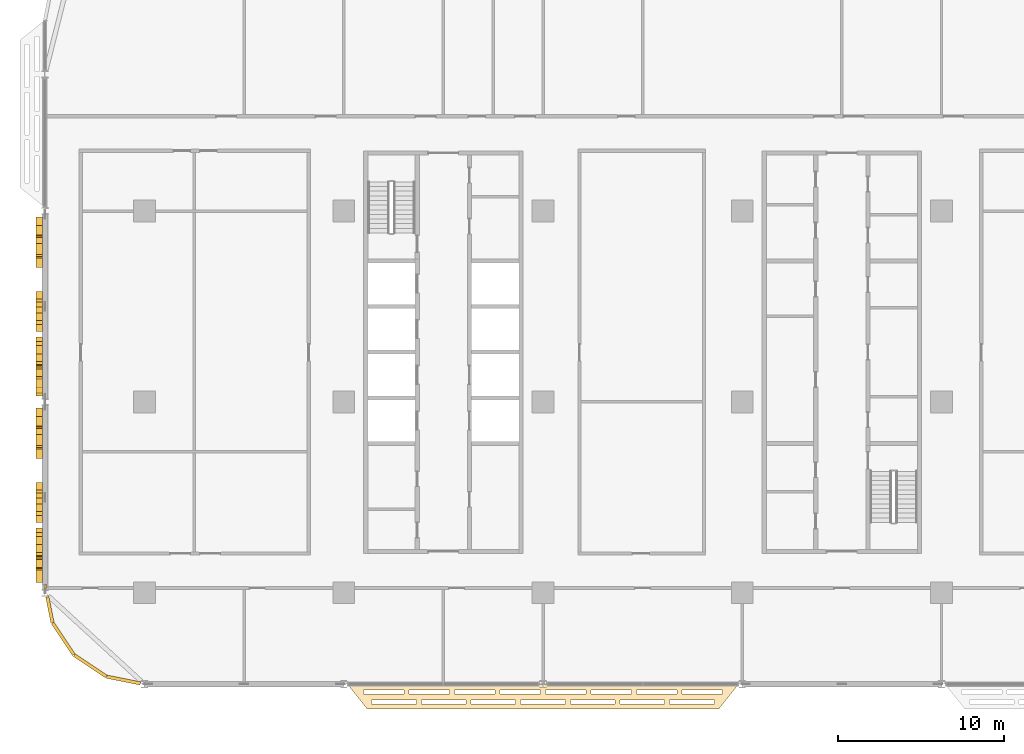
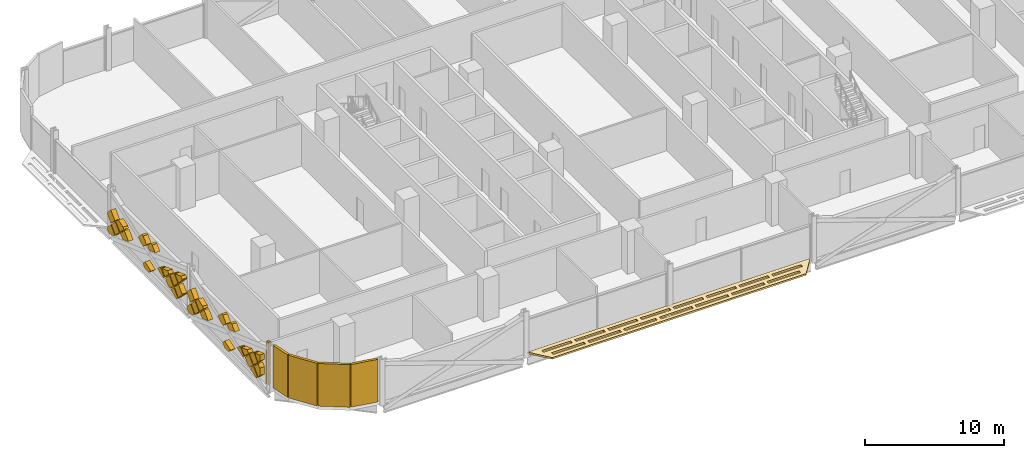
# One storey, part 24 of 28: 36 coverings.
"""IFC4 building model written with IfcOpenShell, lengths in metres."""

from ifc_helpers import new_model, si_unit, direction, frame, origin, origin_2d, place, context, subcontext, project, spatial, polyline, rectangle, outline, extrude, material, layer, layer_set, type_object, element, save


model = new_model("IFC4")

# Units and contexts
model_context = context("Model", 3, precision=1e-05, world=origin(), true_north=direction((0.0, 1.0)))
body_context = subcontext(model_context, "Body", "Model", "MODEL_VIEW")
ifc_project = project(units=[si_unit("LENGTHUNIT", "METRE"), si_unit("AREAUNIT", "SQUARE_METRE"), si_unit("VOLUMEUNIT", "CUBIC_METRE"), si_unit("PLANEANGLEUNIT", "RADIAN"), si_unit("MASSUNIT", "GRAM", prefix="KILO")], contexts=[model_context])

# Site, building, storey
site_placement = place(None, origin())
site = spatial("IfcSite", under=ifc_project, at=site_placement, CompositionType="ELEMENT")
building_placement = place(site_placement, origin())
building = spatial("IfcBuilding", under=site, at=building_placement, Name="Mahtab Terrace Research Tower", CompositionType="ELEMENT")
storey_placement = place(building_placement, frame((0.0, 0.0, 130.199951171875)))
storey = spatial("IfcBuildingStorey", under=building, at=storey_placement, Name="L30", CompositionType="ELEMENT", Elevation=130.199951171875)

# Coverings
ifc_material_1 = material(Name="Black aluminium cladding panel", Category="aluminium")
ifc_layer_1 = layer(ifc_material_1, 0.199951171875)
ifc_layer_set_1 = layer_set([ifc_layer_1], Name="Black metal corner cladding 200")
covering_type_1 = type_object("IfcCoveringType", Name="Black metal corner cladding 200", PredefinedType="CLADDING", material=ifc_layer_set_1)
covering_1_placement = place(storey_placement, frame((-47.97607421875, -11.11962890625, 0.0), z_axis=(0.0, 0.0, 1.0), x_axis=(0.195212442692, -0.980760981187, 0.0)))
element("IfcCovering", 1, at=covering_1_placement, inside=storey, type_object=covering_type_1, Name="Corner cladding L30 19", PredefinedType="CLADDING", context=body_context, shape_type="SweptSolid", body=[
    extrude(rectangle(XDim=0.22412109375, YDim=0.199951171875, at=origin_2d()), origin(), (0.0, 0.0, 1.0), 3.760009765625),
])
covering_2_placement = place(storey_placement, frame((-47.700439453125, -12.50439453125, 0.0), z_axis=(0.0, 0.0, 1.0), x_axis=(0.195212442692, -0.980760981187, 0.0)))
element("IfcCovering", 2, at=covering_2_placement, inside=storey, type_object=covering_type_1, Name="Corner cladding L30 20", PredefinedType="CLADDING", context=body_context, shape_type="SweptSolid", body=[
    extrude(rectangle(XDim=1.574462890625, YDim=0.199951171875, at=origin_2d()), origin(), (0.0, 0.0, 1.0), 3.760009765625),
])
for number, where, z_axis, x_axis, name in (
    (3, (-46.89306640625, -14.26953125, 0.0), (0.0, 0.0, 1.0), (0.555291490808, -0.831655794326, 0.0), "Corner cladding L30 21"),
    (4, (-45.26953125, -15.89306640625, 0.0), (0.0, 0.0, 1.0), (0.831655794326, -0.555291490808, 0.0), "Corner cladding L30 22"),
):
    element("IfcCovering", number, at=place(storey_placement, frame(where, z_axis=z_axis, x_axis=x_axis)), inside=storey, type_object=covering_type_1, Name=name, PredefinedType="CLADDING", context=body_context, shape_type="SweptSolid", body=[
        extrude(rectangle(XDim=2.30126953125, YDim=0.199951171875, at=origin_2d()), origin(), (0.0, 0.0, 1.0), 3.760009765625),
    ])
covering_3_placement = place(storey_placement, frame((-43.263916015625, -16.74853515625, 0.0), z_axis=(0.0, 0.0, 1.0), x_axis=(0.980760981187, -0.195212442692, 0.0)))
element("IfcCovering", 5, at=covering_3_placement, inside=storey, type_object=covering_type_1, Name="Corner cladding L30 23", PredefinedType="CLADDING", context=body_context, shape_type="SweptSolid", body=[
    extrude(rectangle(XDim=2.064697265625, YDim=0.199951171875, at=origin_2d()), origin(), (0.0, 0.0, 1.0), 3.760009765625),
])
ifc_material_2 = material(Name="Black anodised aluminium", Category="aluminium")
ifc_layer_2 = layer(ifc_material_2, 0.14990234375)
ifc_layer_set_2 = layer_set([ifc_layer_2], Name="Horizontal sunshade band")
covering_type_2 = type_object("IfcCoveringType", Name="Horizontal sunshade band", PredefinedType="CLADDING", material=ifc_layer_set_2)
covering_4_placement = place(storey_placement, frame((0.0, 0.0, -0.14990234375)))
element("IfcCovering", 6, at=covering_4_placement, inside=storey, type_object=covering_type_2, Name="Sunshade band L30 25", PredefinedType="CLADDING", context=body_context, shape_type="SweptSolid", body=[
    extrude(outline(polyline([(-29.781982421875, -17.0), (-6.218017578125, -17.0), (-7.41796875, -18.5), (-28.58203125, -18.5), (-29.781982421875, -17.0)]), holes=[polyline([(-28.802001953125, -17.35009765625), (-26.364013671875, -17.35009765625), (-26.364013671875, -17.60009765625), (-28.802001953125, -17.60009765625), (-28.802001953125, -17.35009765625)]), polyline([(-26.06396484375, -17.35009765625), (-23.6259765625, -17.35009765625), (-23.6259765625, -17.60009765625), (-26.06396484375, -17.60009765625), (-26.06396484375, -17.35009765625)]), polyline([(-23.325927734375, -17.35009765625), (-20.887939453125, -17.35009765625), (-20.887939453125, -17.60009765625), (-23.325927734375, -17.60009765625), (-23.325927734375, -17.35009765625)]), polyline([(-20.587890625, -17.35009765625), (-18.14990234375, -17.35009765625), (-18.14990234375, -17.60009765625), (-20.587890625, -17.60009765625), (-20.587890625, -17.35009765625)]), polyline([(-17.85009765625, -17.35009765625), (-15.412109375, -17.35009765625), (-15.412109375, -17.60009765625), (-17.85009765625, -17.60009765625), (-17.85009765625, -17.35009765625)]), polyline([(-15.112060546875, -17.35009765625), (-12.674072265625, -17.35009765625), (-12.674072265625, -17.60009765625), (-15.112060546875, -17.60009765625), (-15.112060546875, -17.35009765625)]), polyline([(-12.3740234375, -17.35009765625), (-9.93603515625, -17.35009765625), (-9.93603515625, -17.60009765625), (-12.3740234375, -17.60009765625), (-12.3740234375, -17.35009765625)]), polyline([(-9.635986328125, -17.35009765625), (-7.197998046875, -17.35009765625), (-7.197998046875, -17.60009765625), (-9.635986328125, -17.60009765625), (-9.635986328125, -17.35009765625)]), polyline([(-28.322021484375, -17.949951171875), (-25.6298828125, -17.949951171875), (-25.6298828125, -18.199951171875), (-28.322021484375, -18.199951171875), (-28.322021484375, -17.949951171875)]), polyline([(-25.330078125, -17.949951171875), (-22.637939453125, -17.949951171875), (-22.637939453125, -18.199951171875), (-25.330078125, -18.199951171875), (-25.330078125, -17.949951171875)]), polyline([(-22.337890625, -17.949951171875), (-19.64599609375, -17.949951171875), (-19.64599609375, -18.199951171875), (-22.337890625, -18.199951171875), (-22.337890625, -17.949951171875)]), polyline([(-19.345947265625, -17.949951171875), (-16.654052734375, -17.949951171875), (-16.654052734375, -18.199951171875), (-19.345947265625, -18.199951171875), (-19.345947265625, -17.949951171875)]), polyline([(-16.35400390625, -17.949951171875), (-13.662109375, -17.949951171875), (-13.662109375, -18.199951171875), (-16.35400390625, -18.199951171875), (-16.35400390625, -17.949951171875)]), polyline([(-13.362060546875, -17.949951171875), (-10.669921875, -17.949951171875), (-10.669921875, -18.199951171875), (-13.362060546875, -18.199951171875), (-13.362060546875, -17.949951171875)]), polyline([(-10.3701171875, -17.949951171875), (-7.677978515625, -17.949951171875), (-7.677978515625, -18.199951171875), (-10.3701171875, -18.199951171875), (-10.3701171875, -17.949951171875)])]), origin(), (0.0, 0.0, 1.0), 0.14990234375),
])
ifc_material_3 = material(Name="Bronze anodised aluminium", Category="aluminium")
ifc_layer_3 = layer(ifc_material_3, 0.39990234375)
ifc_layer_set_3 = layer_set([ifc_layer_3], Name="Mashrabiya relief panel 400")
covering_type_3 = type_object("IfcCoveringType", Name="Mashrabiya relief panel 400", PredefinedType="CLADDING", material=ifc_layer_set_3)
covering_5_placement = place(storey_placement, frame((-48.14990234375, 11.14697265625, 0.385009765625), z_axis=(1.0, 0.0, 0.0), x_axis=(0.0, 0.0, 1.0)))
element("IfcCovering", 7, at=covering_5_placement, inside=storey, type_object=covering_type_3, Name="Mashrabiya lattice cell L30 W17.1", PredefinedType="CLADDING", context=body_context, shape_type="SweptSolid", body=[
    extrude(outline(polyline([(0.0, 0.0), (0.130126953125, 0.0), (0.64501953125, 0.514892578125), (0.06494140625, 1.094970703125), (-0.06591796875, 0.9638671875), (-0.25, 0.447998046875), (-0.25, 0.25), (0.0, 0.0)])), origin(), (0.0, 0.0, -1.0), 0.39990234375),
])
covering_6_placement = place(storey_placement, frame((-48.14990234375, 10.632080078125, 2.330078125), z_axis=(1.0, 0.0, 0.0), x_axis=(0.0, -0.707106781187, -0.707106781187)))
element("IfcCovering", 8, at=covering_6_placement, inside=storey, type_object=covering_type_3, Name="Mashrabiya lattice cell L30 W17.2", PredefinedType="CLADDING", context=body_context, shape_type="SweptSolid", body=[
    extrude(outline(polyline([(0.0, 0.0), (0.8203543516109556, 0.0), (0.820181718119455, 0.820181718119455), (0.0920136509698315, 0.820181718119455), (0.0001726334915005956, 0.728340700641124), (0.0, 0.0)])), origin(), (0.0, 0.0, -1.0), 0.39990234375),
])
covering_7_placement = place(storey_placement, frame((-48.14990234375, 9.98193359375, 1.679931640625), z_axis=(1.0, 0.0, 0.0), x_axis=(0.0, -0.707106781187, -0.707106781187)))
element("IfcCovering", 9, at=covering_7_placement, inside=storey, type_object=covering_type_3, Name="Mashrabiya lattice cell L30 W17.3", PredefinedType="CLADDING", context=body_context, shape_type="SweptSolid", body=[
    extrude(outline(polyline([(0.0, 0.0), (0.8200090846279543, 0.0), (0.820181718119455, 0.820181718119455), (-0.0001726334915006511, 0.820181718119455), (0.0, 0.0)])), origin(), (0.0, 0.0, -1.0), 0.39990234375),
])
covering_8_placement = place(storey_placement, frame((-48.14990234375, 8.751953125, 1.75), z_axis=(1.0, 0.0, 0.0), x_axis=(0.0, 0.707255598772, -0.706957932274)))
element("IfcCovering", 10, at=covering_8_placement, inside=storey, type_object=covering_type_3, Name="Mashrabiya lattice cell L30 W17.4", PredefinedType="CLADDING", context=body_context, shape_type="SweptSolid", body=[
    extrude(outline(polyline([(0.0, 0.0), (0.8201817362875763, 0.0), (0.8205270032629295, 0.8201816636150915), (0.3014180694832728, 0.8201182932083333), (3.873443440606528e-05, 0.18402729786321237), (0.0, 0.0)])), origin(), (0.0, 0.0, -1.0), 0.39990234375),
])
covering_9_placement = place(storey_placement, frame((-48.14990234375, 9.261962890625, 1.10009765625), z_axis=(1.0, 0.0, 0.0), x_axis=(0.0, -0.707255598772, 0.706957932274)))
element("IfcCovering", 11, at=covering_9_placement, inside=storey, type_object=covering_type_3, Name="Mashrabiya lattice cell L30 W17.5", PredefinedType="CLADDING", context=body_context, shape_type="SweptSolid", body=[
    extrude(outline(polyline([(0.0, 0.0), (0.8201817362875763, 0.0), (0.8203543334390104, 0.8200090664636573), (0.7340375896007307, 0.8200272345848609), (9.941595922607904e-05, 0.4723252222830666), (0.0, 0.0)])), origin(), (0.0, 0.0, -1.0), 0.39990234375),
])
covering_10_placement = place(storey_placement, frame((-48.14990234375, 6.662109375, 2.400146484375), z_axis=(1.0, 0.0, 0.0), x_axis=(0.0, -0.707106781187, 0.707106781187)))
element("IfcCovering", 12, at=covering_10_placement, inside=storey, type_object=covering_type_3, Name="Mashrabiya lattice cell L30 W17.6", PredefinedType="CLADDING", context=body_context, shape_type="SweptSolid", body=[
    extrude(outline(polyline([(0.0, 0.0), (0.6618768064133846, 0.0), (0.8203543516109556, 0.15847754519757096), (0.8203543516109556, 0.8203543516109556), (0.2064696558347438, 0.8203543516109555), (0.0, 0.38497268604638696), (0.0, 0.0)])), origin(), (0.0, 0.0, -1.0), 0.39990234375),
])
covering_11_placement = place(storey_placement, frame((-48.14990234375, 6.011962890625, 0.449951171875), z_axis=(1.0, 0.0, 0.0), x_axis=(0.0, -0.707106781187, 0.707106781187)))
element("IfcCovering", 13, at=covering_11_placement, inside=storey, type_object=covering_type_3, Name="Mashrabiya lattice cell L30 W17.7", PredefinedType="CLADDING", context=body_context, shape_type="SweptSolid", body=[
    extrude(outline(polyline([(0.0, 0.0), (0.4243331221085288, 0.0), (0.81327637845943, 0.820181718119455), (0.3747873100478503, 0.8201817181194551), (0.0, 0.4453944080716047), (0.0, 0.0)])), origin(), (0.0, 0.0, -1.0), 0.39990234375),
])
covering_12_placement = place(storey_placement, frame((-48.14990234375, 5.362060546875, 2.400146484375), z_axis=(1.0, 0.0, 0.0), x_axis=(0.0, -0.707106781187, 0.707106781187)))
element("IfcCovering", 14, at=covering_12_placement, inside=storey, type_object=covering_type_3, Name="Mashrabiya lattice cell L30 W17.8", PredefinedType="CLADDING", context=body_context, shape_type="SweptSolid", body=[
    extrude(outline(polyline([(0.0, 0.0), (0.6618768064133846, 0.0), (0.8203543516109556, 0.15847754519757096), (0.820181718119455, 0.7666653357542622), (0.0, 0.3777220794033609), (0.0, 0.0)])), origin(), (0.0, 0.0, -1.0), 0.39990234375),
])
covering_13_placement = place(storey_placement, frame((-48.14990234375, 2.902099609375, 1.10009765625), z_axis=(1.0, 0.0, 0.0), x_axis=(0.0, 0.707106781187, -0.707106781187)))
element("IfcCovering", 15, at=covering_13_placement, inside=storey, type_object=covering_type_3, Name="Mashrabiya lattice cell L30 W17.9", PredefinedType="CLADDING", context=body_context, shape_type="SweptSolid", body=[
    extrude(outline(polyline([(0.0, 0.0), (0.2247688059338098, 0.0), (0.6137120622847111, 0.820181718119455), (0.23754368430485584, 0.8200090846279543), (0.0, 0.7084878491185526), (0.0, 0.0)])), origin(), (0.0, 0.0, -1.0), 0.39990234375),
])
covering_14_placement = place(storey_placement, frame((-48.14990234375, 2.251953125, 1.75), z_axis=(1.0, 0.0, 0.0), x_axis=(0.0, 0.707255598772, -0.706957932274)))
element("IfcCovering", 16, at=covering_14_placement, inside=storey, type_object=covering_type_3, Name="Mashrabiya lattice cell L30 W17.10", PredefinedType="CLADDING", context=body_context, shape_type="SweptSolid", body=[
    extrude(outline(polyline([(0.0, 0.0), (0.8201817362875763, 0.0), (0.8204933559024604, 0.6603230540265974), (5.7193245548925464e-05, 0.2717251096029046), (0.0, 0.0)])), origin(), (0.0, 0.0, -1.0), 0.39990234375),
])
covering_15_placement = place(storey_placement, frame((-48.14990234375, 2.761962890625, 1.10009765625), z_axis=(1.0, 0.0, 0.0), x_axis=(0.0, -0.707255598772, 0.706957932274)))
element("IfcCovering", 17, at=covering_15_placement, inside=storey, type_object=covering_type_3, Name="Mashrabiya lattice cell L30 W17.11", PredefinedType="CLADDING", context=body_context, shape_type="SweptSolid", body=[
    extrude(outline(polyline([(0.0, 0.0), (0.8201817362875763, 0.0), (0.8203543334390104, 0.8200090664636573), (0.11186650001441051, 0.8201581904024964), (-4.970797961306728e-05, 0.5840191251460429), (0.0, 0.0)])), origin(), (0.0, 0.0, -1.0), 0.39990234375),
])
covering_16_placement = place(storey_placement, frame((-48.14990234375, 1.531982421875, 1.030029296875), z_axis=(1.0, 0.0, 0.0), x_axis=(0.0, -0.707106781187, -0.707106781187)))
element("IfcCovering", 18, at=covering_16_placement, inside=storey, type_object=covering_type_3, Name="Mashrabiya lattice cell L30 W17.12", PredefinedType="CLADDING", context=body_context, shape_type="SweptSolid", body=[
    extrude(outline(polyline([(0.0, 0.0), (0.8203543516109556, 0.0), (0.820181718119455, 0.27155248213047833), (0.0, 0.6618768064133846), (0.0, 0.0)])), origin(), (0.0, 0.0, -1.0), 0.39990234375),
])
covering_17_placement = place(storey_placement, frame((-48.14990234375, 0.951904296875, 1.75), z_axis=(1.0, 0.0, 0.0), x_axis=(0.0, 0.707255598772, -0.706957932274)))
element("IfcCovering", 19, at=covering_17_placement, inside=storey, type_object=covering_type_3, Name="Mashrabiya lattice cell L30 W17.13", PredefinedType="CLADDING", context=body_context, shape_type="SweptSolid", body=[
    extrude(outline(polyline([(0.0, 0.0), (0.8201817362875763, 0.0), (0.8205270032629295, 0.8201816636150915), (0.13724365903910718, 0.8203254824625392), (0.0003316045482080199, 0.7552714722487052), (0.0, 0.0)])), origin(), (0.0, 0.0, -1.0), 0.39990234375),
])
covering_18_placement = place(storey_placement, frame((-48.14990234375, 0.882080078125, 0.52001953125), z_axis=(1.0, 0.0, 0.0), x_axis=(0.0, 0.706957932274, 0.707255598772)))
element("IfcCovering", 20, at=covering_18_placement, inside=storey, type_object=covering_type_3, Name="Mashrabiya lattice cell L30 W17.14", PredefinedType="CLADDING", context=body_context, shape_type="SweptSolid", body=[
    extrude(outline(polyline([(0.0, 0.0), (0.8201817362875763, 0.0), (0.8203543334390104, 0.8200090664636573), (0.07233346767272081, 0.8203391448896843), (0.0001574812745928078, 0.7481935355902086), (0.0, 0.0)])), origin(), (0.0, 0.0, -1.0), 0.39990234375),
])
covering_19_placement = place(storey_placement, frame((-48.14990234375, 0.882080078125, 1.820068359375), z_axis=(1.0, 0.0, 0.0), x_axis=(0.0, 0.707106781187, 0.707106781187)))
element("IfcCovering", 21, at=covering_19_placement, inside=storey, type_object=covering_type_3, Name="Mashrabiya lattice cell L30 W17.15", PredefinedType="CLADDING", context=body_context, shape_type="SweptSolid", body=[
    extrude(outline(polyline([(0.0, 0.0), (0.7084878491185526, 0.0), (0.3195445927676513, 0.8201817181194551), (0.07198816595575935, 0.8201817181194551), (0.0, 0.7481935521636957), (0.0, 0.0)])), origin(), (0.0, 0.0, -1.0), 0.39990234375),
])
covering_20_placement = place(storey_placement, frame((-48.14990234375, -0.35302734375, 0.385009765625), z_axis=(1.0, 0.0, 0.0), x_axis=(0.0, 0.0, 1.0)))
element("IfcCovering", 22, at=covering_20_placement, inside=storey, type_object=covering_type_3, Name="Mashrabiya lattice cell L30 W18.1", PredefinedType="CLADDING", context=body_context, shape_type="SweptSolid", body=[
    extrude(outline(polyline([(0.0, 0.0), (0.130126953125, 0.0), (0.64501953125, 0.514892578125), (0.06494140625, 1.094970703125), (-0.06591796875, 0.9638671875), (-0.25, 0.447998046875), (-0.25, 0.25), (0.0, 0.0)])), origin(), (0.0, 0.0, -1.0), 0.39990234375),
])
covering_21_placement = place(storey_placement, frame((-48.14990234375, -0.867919921875, 2.330078125), z_axis=(1.0, 0.0, 0.0), x_axis=(0.0, -0.707106781187, -0.707106781187)))
element("IfcCovering", 23, at=covering_21_placement, inside=storey, type_object=covering_type_3, Name="Mashrabiya lattice cell L30 W18.2", PredefinedType="CLADDING", context=body_context, shape_type="SweptSolid", body=[
    extrude(outline(polyline([(0.0, 0.0), (0.8203543516109556, 0.0), (0.820181718119455, 0.820181718119455), (0.0920136509698315, 0.820181718119455), (0.0001726334915005956, 0.728340700641124), (0.0, 0.0)])), origin(), (0.0, 0.0, -1.0), 0.39990234375),
])
covering_22_placement = place(storey_placement, frame((-48.14990234375, -1.51806640625, 1.679931640625), z_axis=(1.0, 0.0, 0.0), x_axis=(0.0, -0.707106781187, -0.707106781187)))
element("IfcCovering", 24, at=covering_22_placement, inside=storey, type_object=covering_type_3, Name="Mashrabiya lattice cell L30 W18.3", PredefinedType="CLADDING", context=body_context, shape_type="SweptSolid", body=[
    extrude(outline(polyline([(0.0, 0.0), (0.8200090846279543, 0.0), (0.820181718119455, 0.820181718119455), (-0.0001726334915006511, 0.820181718119455), (0.0, 0.0)])), origin(), (0.0, 0.0, -1.0), 0.39990234375),
])
covering_23_placement = place(storey_placement, frame((-48.14990234375, -2.748046875, 1.75), z_axis=(1.0, 0.0, 0.0), x_axis=(0.0, 0.707255598772, -0.706957932274)))
element("IfcCovering", 25, at=covering_23_placement, inside=storey, type_object=covering_type_3, Name="Mashrabiya lattice cell L30 W18.4", PredefinedType="CLADDING", context=body_context, shape_type="SweptSolid", body=[
    extrude(outline(polyline([(0.0, 0.0), (0.8201817362875763, 0.0), (0.8205270032629295, 0.8201816636150915), (0.3014180694832728, 0.8201182932083333), (3.873443440606528e-05, 0.18402729786321237), (0.0, 0.0)])), origin(), (0.0, 0.0, -1.0), 0.39990234375),
])
covering_24_placement = place(storey_placement, frame((-48.14990234375, -2.238037109375, 1.10009765625), z_axis=(1.0, 0.0, 0.0), x_axis=(0.0, -0.707255598772, 0.706957932274)))
element("IfcCovering", 26, at=covering_24_placement, inside=storey, type_object=covering_type_3, Name="Mashrabiya lattice cell L30 W18.5", PredefinedType="CLADDING", context=body_context, shape_type="SweptSolid", body=[
    extrude(outline(polyline([(0.0, 0.0), (0.8201817362875763, 0.0), (0.8203543334390104, 0.8200090664636573), (0.7340375896007307, 0.8200272345848609), (9.941595922607904e-05, 0.4723252222830666), (0.0, 0.0)])), origin(), (0.0, 0.0, -1.0), 0.39990234375),
])
covering_25_placement = place(storey_placement, frame((-48.14990234375, -4.837890625, 2.400146484375), z_axis=(1.0, 0.0, 0.0), x_axis=(0.0, -0.707106781187, 0.707106781187)))
element("IfcCovering", 27, at=covering_25_placement, inside=storey, type_object=covering_type_3, Name="Mashrabiya lattice cell L30 W18.6", PredefinedType="CLADDING", context=body_context, shape_type="SweptSolid", body=[
    extrude(outline(polyline([(0.0, 0.0), (0.6618768064133846, 0.0), (0.8203543516109556, 0.15847754519757096), (0.8203543516109556, 0.8203543516109556), (0.2064696558347438, 0.8203543516109555), (0.0, 0.38497268604638696), (0.0, 0.0)])), origin(), (0.0, 0.0, -1.0), 0.39990234375),
])
covering_26_placement = place(storey_placement, frame((-48.14990234375, -5.488037109375, 0.449951171875), z_axis=(1.0, 0.0, 0.0), x_axis=(0.0, -0.707106781187, 0.707106781187)))
element("IfcCovering", 28, at=covering_26_placement, inside=storey, type_object=covering_type_3, Name="Mashrabiya lattice cell L30 W18.7", PredefinedType="CLADDING", context=body_context, shape_type="SweptSolid", body=[
    extrude(outline(polyline([(0.0, 0.0), (0.4243331221085288, 0.0), (0.81327637845943, 0.820181718119455), (0.3747873100478503, 0.8201817181194551), (0.0, 0.4453944080716047), (0.0, 0.0)])), origin(), (0.0, 0.0, -1.0), 0.39990234375),
])
covering_27_placement = place(storey_placement, frame((-48.14990234375, -6.137939453125, 2.400146484375), z_axis=(1.0, 0.0, 0.0), x_axis=(0.0, -0.707106781187, 0.707106781187)))
element("IfcCovering", 29, at=covering_27_placement, inside=storey, type_object=covering_type_3, Name="Mashrabiya lattice cell L30 W18.8", PredefinedType="CLADDING", context=body_context, shape_type="SweptSolid", body=[
    extrude(outline(polyline([(0.0, 0.0), (0.6618768064133846, 0.0), (0.8203543516109556, 0.15847754519757096), (0.820181718119455, 0.7666653357542622), (0.0, 0.3777220794033609), (0.0, 0.0)])), origin(), (0.0, 0.0, -1.0), 0.39990234375),
])
covering_28_placement = place(storey_placement, frame((-48.14990234375, -8.597900390625, 1.10009765625), z_axis=(1.0, 0.0, 0.0), x_axis=(0.0, 0.707106781187, -0.707106781187)))
element("IfcCovering", 30, at=covering_28_placement, inside=storey, type_object=covering_type_3, Name="Mashrabiya lattice cell L30 W18.9", PredefinedType="CLADDING", context=body_context, shape_type="SweptSolid", body=[
    extrude(outline(polyline([(0.0, 0.0), (0.2247688059338098, 0.0), (0.6137120622847111, 0.820181718119455), (0.23754368430485584, 0.8200090846279543), (0.0, 0.7084878491185526), (0.0, 0.0)])), origin(), (0.0, 0.0, -1.0), 0.39990234375),
])
covering_29_placement = place(storey_placement, frame((-48.14990234375, -9.248046875, 1.75), z_axis=(1.0, 0.0, 0.0), x_axis=(0.0, 0.707255598772, -0.706957932274)))
element("IfcCovering", 31, at=covering_29_placement, inside=storey, type_object=covering_type_3, Name="Mashrabiya lattice cell L30 W18.10", PredefinedType="CLADDING", context=body_context, shape_type="SweptSolid", body=[
    extrude(outline(polyline([(0.0, 0.0), (0.8201817362875763, 0.0), (0.8204933559024604, 0.6603230540265974), (5.7193245548925464e-05, 0.2717251096029046), (0.0, 0.0)])), origin(), (0.0, 0.0, -1.0), 0.39990234375),
])
covering_30_placement = place(storey_placement, frame((-48.14990234375, -8.738037109375, 1.10009765625), z_axis=(1.0, 0.0, 0.0), x_axis=(0.0, -0.707255598772, 0.706957932274)))
element("IfcCovering", 32, at=covering_30_placement, inside=storey, type_object=covering_type_3, Name="Mashrabiya lattice cell L30 W18.11", PredefinedType="CLADDING", context=body_context, shape_type="SweptSolid", body=[
    extrude(outline(polyline([(0.0, 0.0), (0.8201817362875763, 0.0), (0.8203543334390104, 0.8200090664636573), (0.11186650001441051, 0.8201581904024964), (-4.970797961306728e-05, 0.5840191251460429), (0.0, 0.0)])), origin(), (0.0, 0.0, -1.0), 0.39990234375),
])
covering_31_placement = place(storey_placement, frame((-48.14990234375, -9.968017578125, 1.030029296875), z_axis=(1.0, 0.0, 0.0), x_axis=(0.0, -0.707106781187, -0.707106781187)))
element("IfcCovering", 33, at=covering_31_placement, inside=storey, type_object=covering_type_3, Name="Mashrabiya lattice cell L30 W18.12", PredefinedType="CLADDING", context=body_context, shape_type="SweptSolid", body=[
    extrude(outline(polyline([(0.0, 0.0), (0.8203543516109556, 0.0), (0.820181718119455, 0.27155248213047833), (0.0, 0.6618768064133846), (0.0, 0.0)])), origin(), (0.0, 0.0, -1.0), 0.39990234375),
])
covering_32_placement = place(storey_placement, frame((-48.14990234375, -10.548095703125, 1.75), z_axis=(1.0, 0.0, 0.0), x_axis=(0.0, 0.707255598772, -0.706957932274)))
element("IfcCovering", 34, at=covering_32_placement, inside=storey, type_object=covering_type_3, Name="Mashrabiya lattice cell L30 W18.13", PredefinedType="CLADDING", context=body_context, shape_type="SweptSolid", body=[
    extrude(outline(polyline([(0.0, 0.0), (0.8201817362875763, 0.0), (0.8205270032629295, 0.8201816636150915), (0.13724365903910718, 0.8203254824625392), (0.0003316045482080199, 0.7552714722487052), (0.0, 0.0)])), origin(), (0.0, 0.0, -1.0), 0.39990234375),
])
covering_33_placement = place(storey_placement, frame((-48.14990234375, -10.617919921875, 0.52001953125), z_axis=(1.0, 0.0, 0.0), x_axis=(0.0, 0.706957932274, 0.707255598772)))
element("IfcCovering", 35, at=covering_33_placement, inside=storey, type_object=covering_type_3, Name="Mashrabiya lattice cell L30 W18.14", PredefinedType="CLADDING", context=body_context, shape_type="SweptSolid", body=[
    extrude(outline(polyline([(0.0, 0.0), (0.8201817362875763, 0.0), (0.8203543334390104, 0.8200090664636573), (0.4711168242055731, 0.8202552081697236), (7.354455463215448e-05, 0.34941017905735633), (0.0, 0.0)])), origin(), (0.0, 0.0, -1.0), 0.39990234375),
])
covering_34_placement = place(storey_placement, frame((-48.14990234375, -10.617919921875, 1.820068359375), z_axis=(1.0, 0.0, 0.0), x_axis=(0.0, 0.707106781187, 0.707106781187)))
element("IfcCovering", 36, at=covering_34_placement, inside=storey, type_object=covering_type_3, Name="Mashrabiya lattice cell L30 W18.15", PredefinedType="CLADDING", context=body_context, shape_type="SweptSolid", body=[
    extrude(outline(polyline([(0.0, 0.0), (0.7084878491185526, 0.0), (0.36770933689632473, 0.7171195236935837), (0.0, 0.3494101867972589), (0.0, 0.0)])), origin(), (0.0, 0.0, -1.0), 0.39990234375),
])

save(model, "model.ifc")
